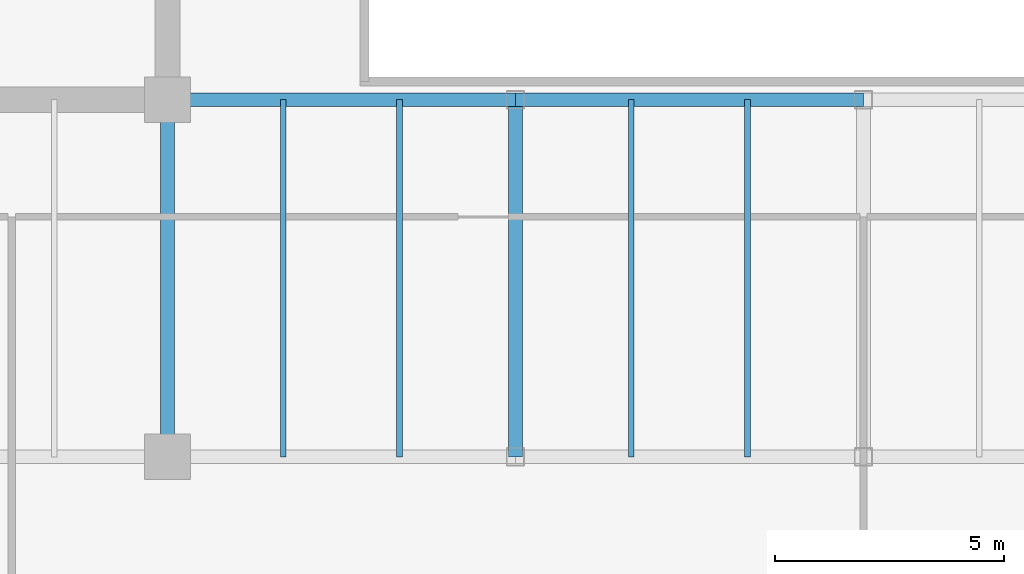
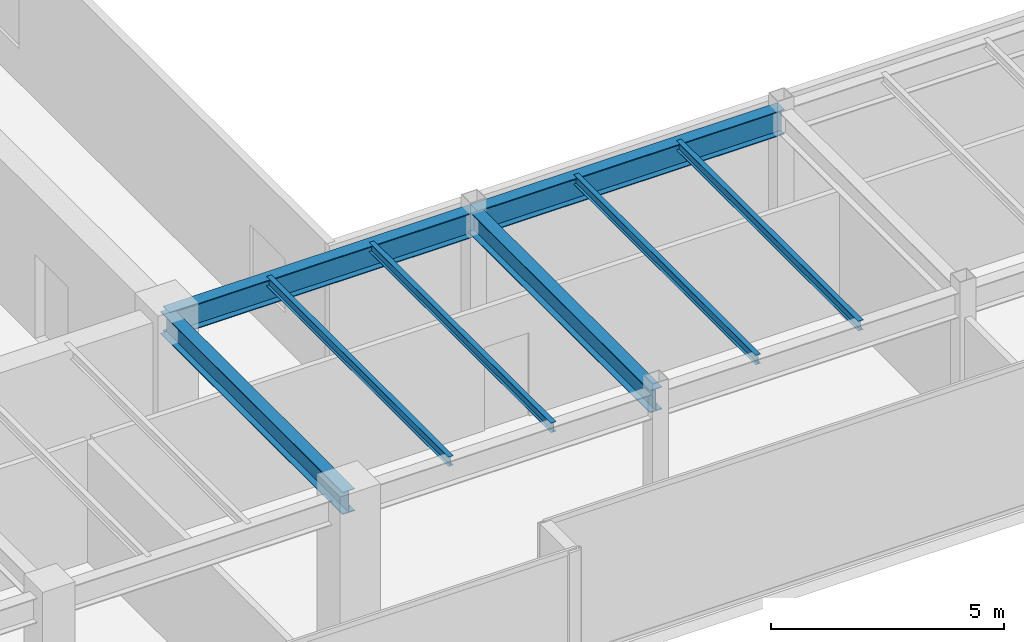
# One storey, part 8 of 33: 8 beams.
"""IFC4 building model written with IfcOpenShell, lengths in metres."""

from ifc_helpers import new_model, si_unit, direction, frame, origin, origin_2d, place, context, subcontext, project, spatial, i_section, extrude, source, transform, mapped, material, material_profile, profile_set, type_object, type_shapes, element, save


model = new_model("IFC4")

# Units and contexts
model_context = context("Model", 3, precision=1e-05, world=origin(), true_north=direction((0.0, 1.0)))
body_context = subcontext(model_context, "Body", "Model", "MODEL_VIEW")
ifc_project = project(units=[si_unit("LENGTHUNIT", "METRE"), si_unit("AREAUNIT", "SQUARE_METRE"), si_unit("VOLUMEUNIT", "CUBIC_METRE"), si_unit("PLANEANGLEUNIT", "RADIAN"), si_unit("MASSUNIT", "GRAM", prefix="KILO")], contexts=[model_context])

# Site, building, storey
site_placement = place(None, origin())
site = spatial("IfcSite", under=ifc_project, at=site_placement, CompositionType="ELEMENT")
building_placement = place(site_placement, origin())
building = spatial("IfcBuilding", under=site, at=building_placement, Name="Haelvirn Gate Laboratories", CompositionType="ELEMENT")
storey_placement = place(building_placement, frame((0.0, 0.0, 258.800048828125)))
storey = spatial("IfcBuildingStorey", under=building, at=storey_placement, Name="L62", CompositionType="ELEMENT", Elevation=258.800048828125)

# Beams
ifc_material = material(Name="Steel SM355", Category="steel")
ifc_material_profile_1 = material_profile(ifc_material, i_section(OverallWidth=0.300048828125, OverallDepth=0.587890625, WebThickness=0.011962890625, FlangeThickness=0.02001953125, at=origin_2d()), Name="H-588x300x12x20")
ifc_profile_set_1 = profile_set([ifc_material_profile_1], Name="Steel SM355")
beam_type_1 = type_object("IfcBeamType", Name="BM-G-588", PredefinedType="BEAM", material=ifc_profile_set_1)
shared_shape_1 = source(origin(), body_context, "Body", "SweptSolid", [
    extrude(i_section(OverallWidth=0.300048828125, OverallDepth=0.587890625, WebThickness=0.011962890625, FlangeThickness=0.02001953125, at=origin_2d()), origin(), (0.0, 0.0, 1.0), 7.800048828125),
])
type_shapes(beam_type_1, [shared_shape_1])
for number, where, z_axis, x_axis, name in (
    (1, (22.199951171875, 7.0, 3.505859375), (0.0, 1.0, 0.0), (-1.0, 0.0, 0.0), "L62 Frame Girder X22.2 (7.0-14.8)"),
    (2, (29.800048828125, 7.0, 3.505859375), (0.0, 1.0, 0.0), (-1.0, 0.0, 0.0), "L62 Frame Girder X29.8 (7.0-14.8)"),
):
    element("IfcBeam", number, at=place(storey_placement, frame(where, z_axis=z_axis, x_axis=x_axis)), inside=storey, type_object=beam_type_1, Name=name, PredefinedType="BEAM", context=body_context, shape_type="MappedRepresentation", body=[
        mapped(shared_shape_1, transform((0.0, 0.0, 0.0), scale=1.0)),
    ])
ifc_material_profile_2 = material_profile(ifc_material, i_section(OverallWidth=0.300048828125, OverallDepth=0.64990234375, WebThickness=0.012939453125, FlangeThickness=0.02197265625, at=origin_2d()), Name="H-650x300x13x22")
ifc_profile_set_2 = profile_set([ifc_material_profile_2], Name="Steel SM355")
beam_type_2 = type_object("IfcBeamType", Name="BM-G-650", PredefinedType="BEAM", material=ifc_profile_set_2)
shared_shape_2 = source(origin(), body_context, "Body", "SweptSolid", [
    extrude(i_section(OverallWidth=0.300048828125, OverallDepth=0.64990234375, WebThickness=0.012939453125, FlangeThickness=0.02197265625, at=origin_2d()), origin(), (0.0, 0.0, 1.0), 7.60009765625),
])
beam_1_placement = place(storey_placement, frame((22.199951171875, 14.800048828125, 3.474853515625), z_axis=(1.0, 0.0, 0.0), x_axis=(0.0, 1.0, 0.0)))
element("IfcBeam", 3, at=beam_1_placement, inside=storey, type_object=beam_type_2, Name="L62 Primary Girder Y14.8 (22.2-29.8)", PredefinedType="BEAM", context=body_context, shape_type="MappedRepresentation", body=[
    mapped(shared_shape_2, transform((0.0, 0.0, 0.0), scale=1.0)),
])
shared_shape_3 = source(origin(), body_context, "Body", "SweptSolid", [
    extrude(i_section(OverallWidth=0.300048828125, OverallDepth=0.64990234375, WebThickness=0.012939453125, FlangeThickness=0.02197265625, at=origin_2d()), origin(), (0.0, 0.0, 1.0), 7.599853515625),
])
type_shapes(beam_type_2, [shared_shape_2, shared_shape_3])
beam_2_placement = place(storey_placement, frame((29.800048828125, 14.800048828125, 3.474853515625), z_axis=(1.0, 0.0, 0.0), x_axis=(0.0, 1.0, 0.0)))
element("IfcBeam", 4, at=beam_2_placement, inside=storey, type_object=beam_type_2, Name="L62 Primary Girder Y14.8 (29.8-37.4)", PredefinedType="BEAM", context=body_context, shape_type="MappedRepresentation", body=[
    mapped(shared_shape_3, transform((0.0, 0.0, 0.0), scale=1.0)),
])
ifc_material_profile_3 = material_profile(ifc_material, i_section(OverallWidth=0.125, OverallDepth=0.25, WebThickness=0.006103515625, FlangeThickness=0.009033203125, at=origin_2d()), Name="H-250x125x6x9")
ifc_profile_set_3 = profile_set([ifc_material_profile_3], Name="Steel SM355")
beam_type_3 = type_object("IfcBeamType", Name="BM-J-250", PredefinedType="JOIST", material=ifc_profile_set_3)
shared_shape_4 = source(origin(), body_context, "Body", "SweptSolid", [
    extrude(i_section(OverallWidth=0.125, OverallDepth=0.25, WebThickness=0.006103515625, FlangeThickness=0.009033203125, at=origin_2d()), origin(), (0.0, 0.0, 1.0), 7.800048828125),
])
type_shapes(beam_type_3, [shared_shape_4])
for number, where, z_axis, x_axis, name in (
    (5, (24.72998046875, 7.0, 3.675048828125), (0.0, 1.0, 0.0), (-1.0, 0.0, 0.0), "L62 Composite Lab Joist South X24.73"),
    (6, (27.27001953125, 7.0, 3.675048828125), (0.0, 1.0, 0.0), (-1.0, 0.0, 0.0), "L62 Composite Lab Joist South X27.27"),
    (7, (32.330078125, 7.0, 3.675048828125), (0.0, 1.0, 0.0), (-1.0, 0.0, 0.0), "L62 Composite Lab Joist South X32.33"),
    (8, (34.8701171875, 7.0, 3.675048828125), (0.0, 1.0, 0.0), (-1.0, 0.0, 0.0), "L62 Composite Lab Joist South X34.87"),
):
    element("IfcBeam", number, at=place(storey_placement, frame(where, z_axis=z_axis, x_axis=x_axis)), inside=storey, type_object=beam_type_3, Name=name, PredefinedType="JOIST", context=body_context, shape_type="MappedRepresentation", body=[
        mapped(shared_shape_4, transform((0.0, 0.0, 0.0), scale=1.0)),
    ])

save(model, "model.ifc")
